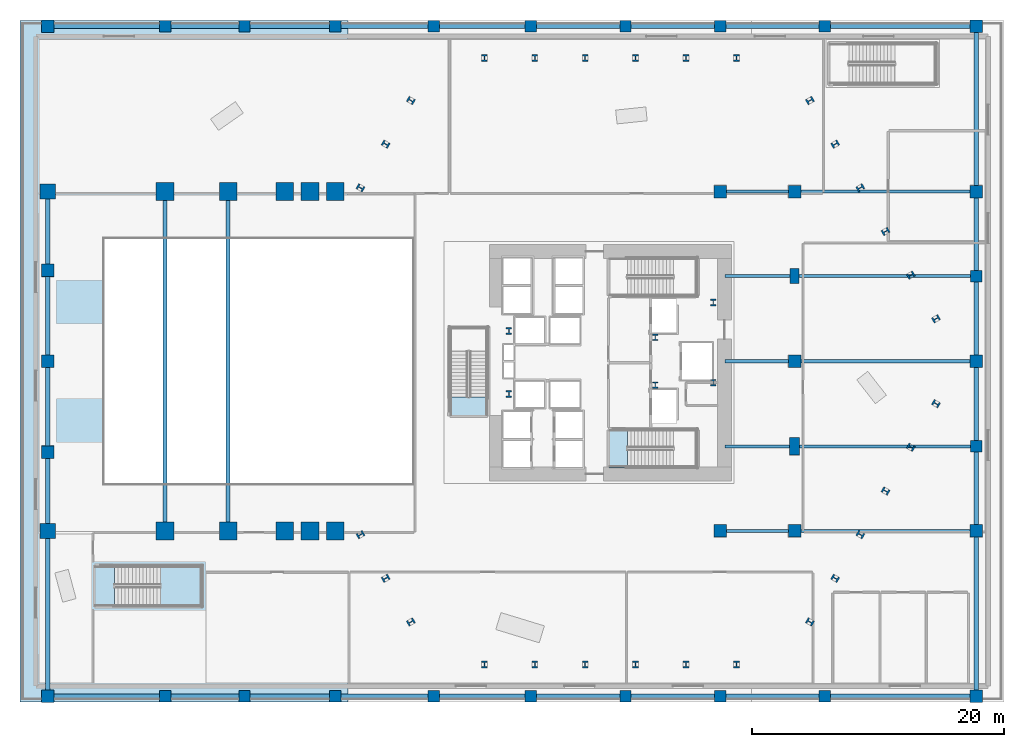
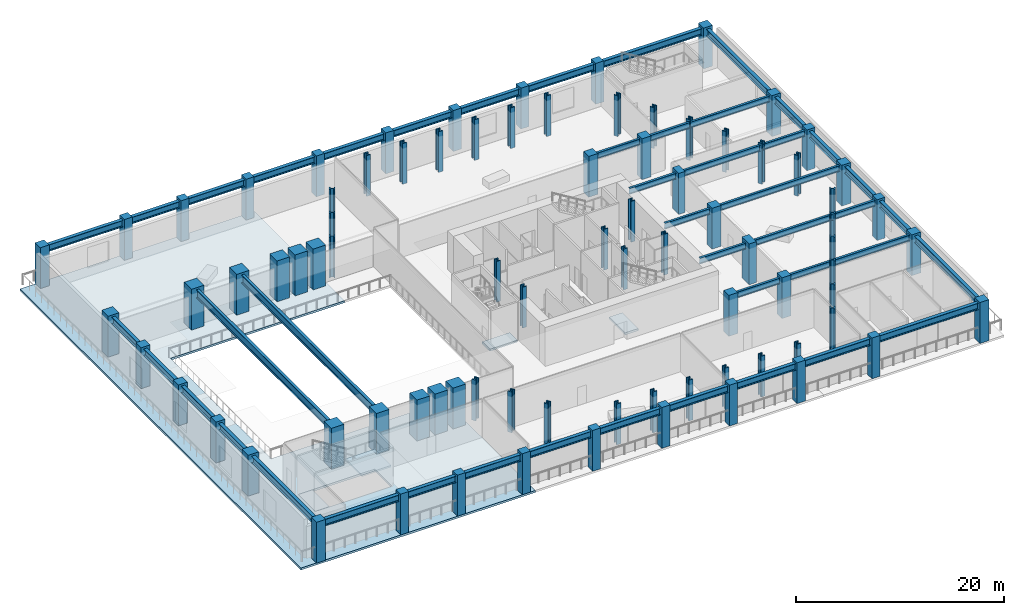
# One storey, part 1 of 19: 83 columns, 20 beams, 5 slabs, 1 element without a shape of its own.
"""IFC4 building model written with IfcOpenShell, lengths in metres."""

from ifc_helpers import new_model, si_unit, direction, frame, origin, origin_2d, place, context, subcontext, project, spatial, polyline, rectangle, i_section, outline, extrude, material, layer, layer_set, material_profile, profile_set, type_object, element, aggregate, save


model = new_model("IFC4")

# Units and contexts
model_context = context("Model", 3, precision=1e-05, world=origin(), true_north=direction((0.0, 1.0)))
body_context = subcontext(model_context, "Body", "Model", "MODEL_VIEW")
ifc_project = project(units=[si_unit("LENGTHUNIT", "METRE"), si_unit("AREAUNIT", "SQUARE_METRE"), si_unit("VOLUMEUNIT", "CUBIC_METRE"), si_unit("PLANEANGLEUNIT", "RADIAN"), si_unit("MASSUNIT", "GRAM", prefix="KILO")], contexts=[model_context])

# Site, building, storey
site_placement = place(None, origin())
site = spatial("IfcSite", under=ifc_project, at=site_placement, CompositionType="ELEMENT")
building_placement = place(site_placement, origin())
building = spatial("IfcBuilding", under=site, at=building_placement, Name="Valkerne Bourse Tower", CompositionType="ELEMENT")
storey_placement = place(building_placement, frame((0.0, 0.0, 5.39990234375)))
storey = spatial("IfcBuildingStorey", under=building, at=storey_placement, Name="L01", CompositionType="ELEMENT", Elevation=5.39990234375)

# Columns
ifc_material_1 = material(Name="Concrete C70/85", Category="concrete")
ifc_material_profile_1 = material_profile(ifc_material_1, rectangle(XDim=1.0, YDim=1.0, at=origin_2d()), Name="RC1000X1000")
ifc_profile_set_1 = profile_set([ifc_material_profile_1], Name="Concrete C70/85")
column_type_1 = type_object("IfcColumnType", Name="COL-RC1000X1000", PredefinedType="COLUMN", material=ifc_profile_set_1)
for number, where, z_axis, x_axis, name in (
    (1, (2.199951171875, 0.449951171875, 0.005126953125), (0.0, 0.0, 1.0), (1.0, 0.0, 0.0), "L01 Podium Column PW-1"),
    (2, (2.199951171875, 19.800048828125, 0.005126953125), (0.0, 0.0, 1.0), (1.0, 0.0, 0.0), "L01 Podium Column PW-3"),
    (3, (2.199951171875, 27.0, 0.005126953125), (0.0, 0.0, 1.0), (1.0, 0.0, 0.0), "L01 Podium Column PW-4"),
    (4, (2.199951171875, 34.199951171875, 0.005126953125), (0.0, 0.0, 1.0), (1.0, 0.0, 0.0), "L01 Podium Column PW-5"),
    (5, (2.199951171875, 53.550048828125, 0.005126953125), (0.0, 0.0, 1.0), (1.0, 0.0, 0.0), "L01 Podium Column PW-7"),
    (6, (75.800048828125, 0.449951171875, 0.005126953125), (0.0, 0.0, 1.0), (1.0, 0.0, 0.0), "L01 Podium Column PS-9"),
    (7, (75.800048828125, 53.550048828125, 0.005126953125), (0.0, 0.0, 1.0), (1.0, 0.0, 0.0), "L01 Podium Column PN-9"),
    (8, (75.800048828125, 13.550048828125, 0.005126953125), (0.0, 0.0, 1.0), (1.0, 0.0, 0.0), "L01 Podium Column PE-1"),
    (9, (75.800048828125, 27.0, 0.005126953125), (0.0, 0.0, 1.0), (1.0, 0.0, 0.0), "L01 Podium Column PE-3"),
    (10, (75.800048828125, 40.449951171875, 0.005126953125), (0.0, 0.0, 1.0), (1.0, 0.0, 0.0), "L01 Podium Column PE-5"),
    (11, (55.5, 13.550048828125, 0.005126953125), (0.0, 0.0, 1.0), (1.0, 0.0, 0.0), "L01 Podium Column PI-C1"),
    (12, (55.5, 40.449951171875, 0.005126953125), (0.0, 0.0, 1.0), (1.0, 0.0, 0.0), "L01 Podium Column PI-C2"),
    (13, (61.39990234375, 13.550048828125, 0.005126953125), (0.0, 0.0, 1.0), (1.0, 0.0, 0.0), "L01 Podium Column PI-E1"),
    (14, (61.39990234375, 27.0, 0.005126953125), (0.0, 0.0, 1.0), (1.0, 0.0, 0.0), "L01 Podium Column PI-E3"),
    (15, (61.39990234375, 40.449951171875, 0.005126953125), (0.0, 0.0, 1.0), (1.0, 0.0, 0.0), "L01 Podium Column PI-E5"),
):
    element("IfcColumn", number, at=place(storey_placement, frame(where, z_axis=z_axis, x_axis=x_axis)), inside=storey, type_object=column_type_1, Name=name, PredefinedType="COLUMN", context=body_context, shape_type="SweptSolid", body=[
        extrude(rectangle(XDim=1.0, YDim=1.0, at=origin_2d()), origin(), (0.0, 0.0, 1.0), 4.794921875),
    ])
ifc_material_profile_2 = material_profile(ifc_material_1, rectangle(XDim=1.199951171875, YDim=1.199951171875, at=origin_2d()), Name="RC1200X1200")
ifc_profile_set_2 = profile_set([ifc_material_profile_2], Name="Concrete C70/85")
column_type_2 = type_object("IfcColumnType", Name="COL-RC1200X1200", PredefinedType="COLUMN", material=ifc_profile_set_2)
for number, where, z_axis, x_axis, name in (
    (16, (2.199951171875, 13.550048828125, 0.005126953125), (0.0, 0.0, 1.0), (1.0, 0.0, 0.0), "L01 Podium Column PW-2"),
    (17, (2.199951171875, 40.449951171875, 0.005126953125), (0.0, 0.0, 1.0), (1.0, 0.0, 0.0), "L01 Podium Column PW-6"),
):
    element("IfcColumn", number, at=place(storey_placement, frame(where, z_axis=z_axis, x_axis=x_axis)), inside=storey, type_object=column_type_2, Name=name, PredefinedType="COLUMN", context=body_context, shape_type="SweptSolid", body=[
        extrude(rectangle(XDim=1.199951171875, YDim=1.199951171875, at=origin_2d()), origin(), (0.0, 0.0, 1.0), 4.794921875),
    ])
ifc_material_profile_3 = material_profile(ifc_material_1, rectangle(XDim=1.39990234375, YDim=1.39990234375, at=origin_2d()), Name="RC1400X1400")
ifc_profile_set_3 = profile_set([ifc_material_profile_3], Name="Concrete C70/85")
column_type_3 = type_object("IfcColumnType", Name="COL-RC1400X1400", PredefinedType="COLUMN", material=ifc_profile_set_3)
for number, where, z_axis, x_axis, name in (
    (18, (11.5, 13.550048828125, 0.005126953125), (0.0, 0.0, 1.0), (1.0, 0.0, 0.0), "L01 Podium Column MC-S1"),
    (19, (11.5, 40.449951171875, 0.005126953125), (0.0, 0.0, 1.0), (1.0, 0.0, 0.0), "L01 Podium Column MC-N1"),
    (20, (16.5, 13.550048828125, 0.005126953125), (0.0, 0.0, 1.0), (1.0, 0.0, 0.0), "L01 Podium Column MC-S2"),
    (21, (16.5, 40.449951171875, 0.005126953125), (0.0, 0.0, 1.0), (1.0, 0.0, 0.0), "L01 Podium Column MC-N2"),
    (22, (20.991943359375, 13.550048828125, 0.005126953125), (0.0, 0.0, 1.0), (1.0, 0.0, 0.0), "L01 Podium Column MCH-S1"),
    (23, (20.991943359375, 40.449951171875, 0.005126953125), (0.0, 0.0, 1.0), (1.0, 0.0, 0.0), "L01 Podium Column MCH-N1"),
    (24, (22.990966796875, 13.550048828125, 0.005126953125), (0.0, 0.0, 1.0), (1.0, 0.0, 0.0), "L01 Podium Column MCH-S2"),
    (25, (22.990966796875, 40.449951171875, 0.005126953125), (0.0, 0.0, 1.0), (1.0, 0.0, 0.0), "L01 Podium Column MCH-N2"),
    (26, (24.988037109375, 13.550048828125, 0.005126953125), (0.0, 0.0, 1.0), (1.0, 0.0, 0.0), "L01 Podium Column MCH-S3"),
    (27, (24.988037109375, 40.449951171875, 0.005126953125), (0.0, 0.0, 1.0), (1.0, 0.0, 0.0), "L01 Podium Column MCH-N3"),
):
    element("IfcColumn", number, at=place(storey_placement, frame(where, z_axis=z_axis, x_axis=x_axis)), inside=storey, type_object=column_type_3, Name=name, PredefinedType="COLUMN", context=body_context, shape_type="SweptSolid", body=[
        extrude(rectangle(XDim=1.39990234375, YDim=1.39990234375, at=origin_2d()), origin(), (0.0, 0.0, 1.0), 4.794921875),
    ])
ifc_material_profile_4 = material_profile(ifc_material_1, rectangle(XDim=0.699951171875, YDim=1.199951171875, at=origin_2d()), Name="RC700X1200")
ifc_profile_set_4 = profile_set([ifc_material_profile_4], Name="Concrete C70/85")
column_type_4 = type_object("IfcColumnType", Name="COL-RC700X1200", PredefinedType="COLUMN", material=ifc_profile_set_4)
column_1_placement = place(storey_placement, frame((61.39990234375, 33.75, 0.005126953125), z_axis=(0.0, 0.0, 1.0), x_axis=(1.0, 0.0, 0.0)))
element("IfcColumn", 28, at=column_1_placement, inside=storey, type_object=column_type_4, Name="L01 Podium Column PI-E4", PredefinedType="COLUMN", context=body_context, shape_type="SweptSolid", body=[
    extrude(rectangle(XDim=0.699951171875, YDim=1.199951171875, at=origin_2d()), origin(), (0.0, 0.0, 1.0), 4.794921875),
])
ifc_material_profile_5 = material_profile(ifc_material_1, rectangle(XDim=0.800048828125, YDim=1.39990234375, at=origin_2d()), Name="RC800X1400")
ifc_profile_set_5 = profile_set([ifc_material_profile_5], Name="Concrete C70/85")
column_type_5 = type_object("IfcColumnType", Name="COL-RC800X1400", PredefinedType="COLUMN", material=ifc_profile_set_5)
column_2_placement = place(storey_placement, frame((61.39990234375, 20.25, 0.005126953125), z_axis=(0.0, 0.0, 1.0), x_axis=(1.0, 0.0, 0.0)))
element("IfcColumn", 29, at=column_2_placement, inside=storey, type_object=column_type_5, Name="L01 Podium Column PI-E2", PredefinedType="COLUMN", context=body_context, shape_type="SweptSolid", body=[
    extrude(rectangle(XDim=0.800048828125, YDim=1.39990234375, at=origin_2d()), origin(), (0.0, 0.0, 1.0), 4.794921875),
])
ifc_material_profile_6 = material_profile(ifc_material_1, rectangle(XDim=0.89990234375, YDim=0.89990234375, at=origin_2d()), Name="RC900X900")
ifc_profile_set_6 = profile_set([ifc_material_profile_6], Name="Concrete C70/85")
column_type_6 = type_object("IfcColumnType", Name="COL-RC900X900", PredefinedType="COLUMN", material=ifc_profile_set_6)
for number, where, z_axis, x_axis, name in (
    (30, (11.5, 0.449951171875, 0.005126953125), (0.0, 0.0, 1.0), (1.0, 0.0, 0.0), "L01 Podium Column PS-1"),
    (31, (17.800048828125, 0.449951171875, 0.005126953125), (0.0, 0.0, 1.0), (1.0, 0.0, 0.0), "L01 Podium Column PS-2"),
    (32, (25.0, 0.449951171875, 0.005126953125), (0.0, 0.0, 1.0), (1.0, 0.0, 0.0), "L01 Podium Column PS-3"),
    (33, (32.800048828125, 0.449951171875, 0.005126953125), (0.0, 0.0, 1.0), (1.0, 0.0, 0.0), "L01 Podium Column PS-4"),
    (34, (40.5, 0.449951171875, 0.005126953125), (0.0, 0.0, 1.0), (1.0, 0.0, 0.0), "L01 Podium Column PS-5"),
    (35, (48.0, 0.449951171875, 0.005126953125), (0.0, 0.0, 1.0), (1.0, 0.0, 0.0), "L01 Podium Column PS-6"),
    (36, (55.5, 0.449951171875, 0.005126953125), (0.0, 0.0, 1.0), (1.0, 0.0, 0.0), "L01 Podium Column PS-7"),
    (37, (63.800048828125, 0.449951171875, 0.005126953125), (0.0, 0.0, 1.0), (1.0, 0.0, 0.0), "L01 Podium Column PS-8"),
    (38, (11.5, 53.550048828125, 0.005126953125), (0.0, 0.0, 1.0), (1.0, 0.0, 0.0), "L01 Podium Column PN-1"),
    (39, (17.800048828125, 53.550048828125, 0.005126953125), (0.0, 0.0, 1.0), (1.0, 0.0, 0.0), "L01 Podium Column PN-2"),
    (40, (25.0, 53.550048828125, 0.005126953125), (0.0, 0.0, 1.0), (1.0, 0.0, 0.0), "L01 Podium Column PN-3"),
    (41, (32.800048828125, 53.550048828125, 0.005126953125), (0.0, 0.0, 1.0), (1.0, 0.0, 0.0), "L01 Podium Column PN-4"),
    (42, (40.5, 53.550048828125, 0.005126953125), (0.0, 0.0, 1.0), (1.0, 0.0, 0.0), "L01 Podium Column PN-5"),
    (43, (48.0, 53.550048828125, 0.005126953125), (0.0, 0.0, 1.0), (1.0, 0.0, 0.0), "L01 Podium Column PN-6"),
    (44, (55.5, 53.550048828125, 0.005126953125), (0.0, 0.0, 1.0), (1.0, 0.0, 0.0), "L01 Podium Column PN-7"),
    (45, (63.800048828125, 53.550048828125, 0.005126953125), (0.0, 0.0, 1.0), (1.0, 0.0, 0.0), "L01 Podium Column PN-8"),
    (46, (75.800048828125, 20.25, 0.005126953125), (0.0, 0.0, 1.0), (1.0, 0.0, 0.0), "L01 Podium Column PE-2"),
    (47, (75.800048828125, 33.75, 0.005126953125), (0.0, 0.0, 1.0), (1.0, 0.0, 0.0), "L01 Podium Column PE-4"),
):
    element("IfcColumn", number, at=place(storey_placement, frame(where, z_axis=z_axis, x_axis=x_axis)), inside=storey, type_object=column_type_6, Name=name, PredefinedType="COLUMN", context=body_context, shape_type="SweptSolid", body=[
        extrude(rectangle(XDim=0.89990234375, YDim=0.89990234375, at=origin_2d()), origin(), (0.0, 0.0, 1.0), 4.794921875),
    ])
ifc_material_2 = material(Name="Steel ASTM A913 Grade 65", Category="steel")
ifc_material_profile_7 = material_profile(ifc_material_2, i_section(OverallWidth=0.44189453125, OverallDepth=0.531005859375, WebThickness=0.06591796875, FlangeThickness=0.105712890625, FilletRadius=0.030517578125, at=origin_2d()), Name="W14X605")
ifc_profile_set_7 = profile_set([ifc_material_profile_7], Name="Steel ASTM A913 Grade 65")
column_type_7 = type_object("IfcColumnType", Name="COL-W14X605", PredefinedType="COLUMN", material=ifc_profile_set_7)
for number, where, z_axis, x_axis, name in (
    (48, (38.75, 24.39990234375, 0.005126953125), (0.0, 0.0, 1.0), (1.0, 0.0, 0.0), "L01 Core Frame Column CC-SW"),
    (49, (38.75, 29.39990234375, 0.005126953125), (0.0, 0.0, 1.0), (1.0, 0.0, 0.0), "L01 Core Frame Column CC-NW"),
    (50, (50.35009765625, 25.10009765625, 0.005126953125), (0.0, 0.0, 1.0), (1.0, 0.0, 0.0), "L01 Core Frame Column CC-CE1"),
    (51, (50.35009765625, 28.89990234375, 0.005126953125), (0.0, 0.0, 1.0), (1.0, 0.0, 0.0), "L01 Core Frame Column CC-CE2"),
    (52, (54.949951171875, 25.300048828125, 0.005126953125), (0.0, 0.0, 1.0), (1.0, 0.0, 0.0), "L01 Core Frame Column CC-SE"),
    (53, (54.949951171875, 31.64990234375, 0.005126953125), (0.0, 0.0, 1.0), (1.0, 0.0, 0.0), "L01 Core Frame Column CC-NE"),
):
    element("IfcColumn", number, at=place(storey_placement, frame(where, z_axis=z_axis, x_axis=x_axis)), inside=storey, type_object=column_type_7, Name=name, PredefinedType="COLUMN", context=body_context, shape_type="SweptSolid", body=[
        extrude(i_section(OverallWidth=0.44189453125, OverallDepth=0.531005859375, WebThickness=0.06591796875, FlangeThickness=0.105712890625, FilletRadius=0.030517578125, at=origin_2d()), origin(), (0.0, 0.0, 1.0), 4.794921875),
    ])
ifc_material_profile_8 = material_profile(ifc_material_2, i_section(OverallWidth=0.45458984375, OverallDepth=0.569091796875, WebThickness=0.077880859375, FlangeThickness=0.124755859375, FilletRadius=0.030517578125, at=origin_2d()), Name="W14X730")
ifc_profile_set_8 = profile_set([ifc_material_profile_8], Name="Steel ASTM A913 Grade 65")
column_type_8 = type_object("IfcColumnType", Name="COL-W14X730", PredefinedType="COLUMN", material=ifc_profile_set_8)
for number, where, z_axis, x_axis, name in (
    (54, (72.607421875, 30.364501953125, 0.005126953125), (0.0, 0.0, 1.0), (-0.5, 0.866025403784, 0.0), "L01 Tower Base Mega-Column Z1B-00"),
    (55, (70.609619140625, 33.8251953125, 0.005126953125), (0.0, 0.0, 1.0), (-0.5, 0.866025403784, 0.0), "L01 Tower Base Mega-Column Z1B-01"),
    (56, (68.611572265625, 37.285888671875, 0.005126953125), (0.0, 0.0, 1.0), (-0.5, 0.866025403784, 0.0), "L01 Tower Base Mega-Column Z1B-02"),
    (57, (66.613525390625, 40.746337890625, 0.005126953125), (0.0, 0.0, 1.0), (-0.5, 0.866025403784, 0.0), "L01 Tower Base Mega-Column Z1B-03"),
    (58, (64.615478515625, 44.20703125, 0.005126953125), (0.0, 0.0, 1.0), (-0.5, 0.866025403784, 0.0), "L01 Tower Base Mega-Column Z1B-04"),
    (59, (62.617431640625, 47.667724609375, 0.005126953125), (0.0, 0.0, 1.0), (-0.5, 0.866025403784, 0.0), "L01 Tower Base Mega-Column Z1B-05"),
    (60, (56.7900390625, 51.0322265625, 0.005126953125), (0.0, 0.0, 1.0), (-1.0, 0.0, 0.0), "L01 Tower Base Mega-Column Z1B-06"),
    (61, (52.7939453125, 51.0322265625, 0.005126953125), (0.0, 0.0, 1.0), (-1.0, 0.0, 0.0), "L01 Tower Base Mega-Column Z1B-07"),
    (62, (48.798095703125, 51.0322265625, 0.005126953125), (0.0, 0.0, 1.0), (-1.0, 0.0, 0.0), "L01 Tower Base Mega-Column Z1B-08"),
    (63, (44.802001953125, 51.0322265625, 0.005126953125), (0.0, 0.0, 1.0), (-1.0, 0.0, 0.0), "L01 Tower Base Mega-Column Z1B-09"),
    (64, (40.805908203125, 51.0322265625, 0.005126953125), (0.0, 0.0, 1.0), (-1.0, 0.0, 0.0), "L01 Tower Base Mega-Column Z1B-10"),
    (65, (36.81005859375, 51.0322265625, 0.005126953125), (0.0, 0.0, 1.0), (-1.0, 0.0, 0.0), "L01 Tower Base Mega-Column Z1B-11"),
    (66, (30.982421875, 47.667724609375, 0.005126953125), (0.0, 0.0, 1.0), (-0.5, -0.866025403784, 0.0), "L01 Tower Base Mega-Column Z1B-12"),
    (67, (28.984619140625, 44.20703125, 0.005126953125), (0.0, 0.0, 1.0), (-0.5, -0.866025403784, 0.0), "L01 Tower Base Mega-Column Z1B-13"),
    (68, (26.986572265625, 40.746337890625, 0.005126953125), (0.0, 0.0, 1.0), (-0.5, -0.866025403784, 0.0), "L01 Tower Base Mega-Column Z1B-14"),
    (69, (26.986572265625, 13.253662109375, 0.005126953125), (0.0, 0.0, 1.0), (0.5, -0.866025403784, 0.0), "L01 Tower Base Mega-Column Z1B-21"),
    (70, (36.81005859375, 2.9677734375, 0.005126953125), (0.0, 0.0, 1.0), (1.0, 0.0, 0.0), "L01 Tower Base Mega-Column Z1B-24"),
    (71, (40.805908203125, 2.9677734375, 0.005126953125), (0.0, 0.0, 1.0), (1.0, 0.0, 0.0), "L01 Tower Base Mega-Column Z1B-25"),
    (72, (44.802001953125, 2.9677734375, 0.005126953125), (0.0, 0.0, 1.0), (1.0, 0.0, 0.0), "L01 Tower Base Mega-Column Z1B-26"),
    (73, (48.798095703125, 2.9677734375, 0.005126953125), (0.0, 0.0, 1.0), (1.0, 0.0, 0.0), "L01 Tower Base Mega-Column Z1B-27"),
    (74, (52.7939453125, 2.9677734375, 0.005126953125), (0.0, 0.0, 1.0), (1.0, 0.0, 0.0), "L01 Tower Base Mega-Column Z1B-28"),
    (75, (56.7900390625, 2.9677734375, 0.005126953125), (0.0, 0.0, 1.0), (1.0, 0.0, 0.0), "L01 Tower Base Mega-Column Z1B-29"),
    (76, (66.613525390625, 13.253662109375, 0.005126953125), (0.0, 0.0, 1.0), (0.5, 0.866025403784, 0.0), "L01 Tower Base Mega-Column Z1B-32"),
    (77, (68.611572265625, 16.714111328125, 0.005126953125), (0.0, 0.0, 1.0), (0.5, 0.866025403784, 0.0), "L01 Tower Base Mega-Column Z1B-33"),
    (78, (70.609619140625, 20.1748046875, 0.005126953125), (0.0, 0.0, 1.0), (0.5, 0.866025403784, 0.0), "L01 Tower Base Mega-Column Z1B-34"),
    (79, (72.607421875, 23.635498046875, 0.005126953125), (0.0, 0.0, 1.0), (0.5, 0.866025403784, 0.0), "L01 Tower Base Mega-Column Z1B-35"),
    (80, (28.984619140625, 9.79296875, 0.005126953125), (0.0, 0.0, 1.0), (0.5, -0.866025403784, 0.0), "L01 Tower Base Mega-Column Z1B-22"),
    (81, (30.982421875, 6.332275390625, 0.005126953125), (0.0, 0.0, 1.0), (0.5, -0.866025403784, 0.0), "L01 Tower Base Mega-Column Z1B-23"),
    (82, (62.617431640625, 6.332275390625, 0.005126953125), (0.0, 0.0, 1.0), (0.5, 0.866025403784, 0.0), "L01 Tower Base Mega-Column Z1B-30"),
    (83, (64.615478515625, 9.79296875, 0.005126953125), (0.0, 0.0, 1.0), (0.5, 0.866025403784, 0.0), "L01 Tower Base Mega-Column Z1B-31"),
):
    element("IfcColumn", number, at=place(storey_placement, frame(where, z_axis=z_axis, x_axis=x_axis)), inside=storey, type_object=column_type_8, Name=name, PredefinedType="COLUMN", context=body_context, shape_type="SweptSolid", body=[
        extrude(i_section(OverallWidth=0.45458984375, OverallDepth=0.569091796875, WebThickness=0.077880859375, FlangeThickness=0.124755859375, FilletRadius=0.030517578125, at=origin_2d()), origin(), (0.0, 0.0, 1.0), 4.7900390625),
    ])

# Beams
ifc_material_3 = material(Name="Steel ASTM A992", Category="steel")
ifc_material_profile_9 = material_profile(ifc_material_3, i_section(OverallWidth=0.255859375, OverallDepth=0.693359375, WebThickness=0.014404296875, FlangeThickness=0.023681640625, FilletRadius=0.02294921875, at=origin_2d()), Name="W27X114")
ifc_profile_set_9 = profile_set([ifc_material_profile_9], Name="Steel ASTM A992")
beam_type_1 = type_object("IfcBeamType", Name="BM-W27X114", PredefinedType="BEAM", material=ifc_profile_set_9)
beam_1_placement = place(storey_placement, frame((55.5, 13.550048828125, 4.21337890625), z_axis=(1.0, 0.0, 0.0), x_axis=(0.0, 1.0, 0.0)))
element("IfcBeam", 84, at=beam_1_placement, inside=storey, type_object=beam_type_1, Name="L01 East Wing Floor Girder 1 Y13", PredefinedType="BEAM", context=body_context, shape_type="SweptSolid", body=[
    extrude(i_section(OverallWidth=0.255859375, OverallDepth=0.693359375, WebThickness=0.014404296875, FlangeThickness=0.023681640625, FilletRadius=0.02294921875, at=origin_2d()), origin(), (0.0, 0.0, 1.0), 5.89990234375),
])
beam_2_placement = place(storey_placement, frame((61.39990234375, 13.550048828125, 4.21337890625), z_axis=(1.0, 0.0, 0.0), x_axis=(0.0, 1.0, 0.0)))
element("IfcBeam", 85, at=beam_2_placement, inside=storey, type_object=beam_type_1, Name="L01 East Wing Floor Girder 2 Y13", PredefinedType="BEAM", context=body_context, shape_type="SweptSolid", body=[
    extrude(i_section(OverallWidth=0.255859375, OverallDepth=0.693359375, WebThickness=0.014404296875, FlangeThickness=0.023681640625, FilletRadius=0.02294921875, at=origin_2d()), origin(), (0.0, 0.0, 1.0), 14.400146484375),
])
beam_3_placement = place(storey_placement, frame((55.89990234375, 20.25, 4.21337890625), z_axis=(1.0, 0.0, 0.0), x_axis=(0.0, 1.0, 0.0)))
element("IfcBeam", 86, at=beam_3_placement, inside=storey, type_object=beam_type_1, Name="L01 East Wing Floor Girder 1 Y20", PredefinedType="BEAM", context=body_context, shape_type="SweptSolid", body=[
    extrude(i_section(OverallWidth=0.255859375, OverallDepth=0.693359375, WebThickness=0.014404296875, FlangeThickness=0.023681640625, FilletRadius=0.02294921875, at=origin_2d()), origin(), (0.0, 0.0, 1.0), 5.5),
])
beam_4_placement = place(storey_placement, frame((61.39990234375, 20.25, 4.21337890625), z_axis=(1.0, 0.0, 0.0), x_axis=(0.0, 1.0, 0.0)))
element("IfcBeam", 87, at=beam_4_placement, inside=storey, type_object=beam_type_1, Name="L01 East Wing Floor Girder 2 Y20", PredefinedType="BEAM", context=body_context, shape_type="SweptSolid", body=[
    extrude(i_section(OverallWidth=0.255859375, OverallDepth=0.693359375, WebThickness=0.014404296875, FlangeThickness=0.023681640625, FilletRadius=0.02294921875, at=origin_2d()), origin(), (0.0, 0.0, 1.0), 14.400146484375),
])
beam_5_placement = place(storey_placement, frame((55.89990234375, 27.0, 4.21337890625), z_axis=(1.0, 0.0, 0.0), x_axis=(0.0, 1.0, 0.0)))
element("IfcBeam", 88, at=beam_5_placement, inside=storey, type_object=beam_type_1, Name="L01 East Wing Floor Girder 1 Y27", PredefinedType="BEAM", context=body_context, shape_type="SweptSolid", body=[
    extrude(i_section(OverallWidth=0.255859375, OverallDepth=0.693359375, WebThickness=0.014404296875, FlangeThickness=0.023681640625, FilletRadius=0.02294921875, at=origin_2d()), origin(), (0.0, 0.0, 1.0), 5.5),
])
beam_6_placement = place(storey_placement, frame((61.39990234375, 27.0, 4.21337890625), z_axis=(1.0, 0.0, 0.0), x_axis=(0.0, 1.0, 0.0)))
element("IfcBeam", 89, at=beam_6_placement, inside=storey, type_object=beam_type_1, Name="L01 East Wing Floor Girder 2 Y27", PredefinedType="BEAM", context=body_context, shape_type="SweptSolid", body=[
    extrude(i_section(OverallWidth=0.255859375, OverallDepth=0.693359375, WebThickness=0.014404296875, FlangeThickness=0.023681640625, FilletRadius=0.02294921875, at=origin_2d()), origin(), (0.0, 0.0, 1.0), 14.400146484375),
])
beam_7_placement = place(storey_placement, frame((55.89990234375, 33.75, 4.21337890625), z_axis=(1.0, 0.0, 0.0), x_axis=(0.0, 1.0, 0.0)))
element("IfcBeam", 90, at=beam_7_placement, inside=storey, type_object=beam_type_1, Name="L01 East Wing Floor Girder 1 Y33", PredefinedType="BEAM", context=body_context, shape_type="SweptSolid", body=[
    extrude(i_section(OverallWidth=0.255859375, OverallDepth=0.693359375, WebThickness=0.014404296875, FlangeThickness=0.023681640625, FilletRadius=0.02294921875, at=origin_2d()), origin(), (0.0, 0.0, 1.0), 5.5),
])
beam_8_placement = place(storey_placement, frame((61.39990234375, 33.75, 4.21337890625), z_axis=(1.0, 0.0, 0.0), x_axis=(0.0, 1.0, 0.0)))
element("IfcBeam", 91, at=beam_8_placement, inside=storey, type_object=beam_type_1, Name="L01 East Wing Floor Girder 2 Y33", PredefinedType="BEAM", context=body_context, shape_type="SweptSolid", body=[
    extrude(i_section(OverallWidth=0.255859375, OverallDepth=0.693359375, WebThickness=0.014404296875, FlangeThickness=0.023681640625, FilletRadius=0.02294921875, at=origin_2d()), origin(), (0.0, 0.0, 1.0), 14.400146484375),
])
beam_9_placement = place(storey_placement, frame((55.5, 40.449951171875, 4.21337890625), z_axis=(1.0, 0.0, 0.0), x_axis=(0.0, 1.0, 0.0)))
element("IfcBeam", 92, at=beam_9_placement, inside=storey, type_object=beam_type_1, Name="L01 East Wing Floor Girder 1 Y40", PredefinedType="BEAM", context=body_context, shape_type="SweptSolid", body=[
    extrude(i_section(OverallWidth=0.255859375, OverallDepth=0.693359375, WebThickness=0.014404296875, FlangeThickness=0.023681640625, FilletRadius=0.02294921875, at=origin_2d()), origin(), (0.0, 0.0, 1.0), 5.89990234375),
])
beam_10_placement = place(storey_placement, frame((61.39990234375, 40.449951171875, 4.21337890625), z_axis=(1.0, 0.0, 0.0), x_axis=(0.0, 1.0, 0.0)))
element("IfcBeam", 93, at=beam_10_placement, inside=storey, type_object=beam_type_1, Name="L01 East Wing Floor Girder 2 Y40", PredefinedType="BEAM", context=body_context, shape_type="SweptSolid", body=[
    extrude(i_section(OverallWidth=0.255859375, OverallDepth=0.693359375, WebThickness=0.014404296875, FlangeThickness=0.023681640625, FilletRadius=0.02294921875, at=origin_2d()), origin(), (0.0, 0.0, 1.0), 14.400146484375),
])
ifc_material_profile_10 = material_profile(ifc_material_3, i_section(OverallWidth=0.383544921875, OverallDepth=0.784912109375, WebThickness=0.019775390625, FlangeThickness=0.033447265625, FilletRadius=0.025390625, at=origin_2d()), Name="W30X211")
ifc_profile_set_10 = profile_set([ifc_material_profile_10], Name="Steel ASTM A992")
beam_type_2 = type_object("IfcBeamType", Name="BM-W30X211", PredefinedType="SPANDREL", material=ifc_profile_set_10)
beam_11_placement = place(storey_placement, frame((2.199951171875, 0.449951171875, 4.167724609375), z_axis=(1.0, 0.0, 0.0), x_axis=(0.0, 1.0, 0.0)))
element("IfcBeam", 94, at=beam_11_placement, inside=storey, type_object=beam_type_2, Name="L01 Podium Spandrel Girder S1", PredefinedType="SPANDREL", context=body_context, shape_type="SweptSolid", body=[
    extrude(i_section(OverallWidth=0.383544921875, OverallDepth=0.784912109375, WebThickness=0.019775390625, FlangeThickness=0.033447265625, FilletRadius=0.025390625, at=origin_2d()), origin(), (0.0, 0.0, 1.0), 22.800048828125),
])
beam_12_placement = place(storey_placement, frame((25.0, 0.449951171875, 4.167724609375), z_axis=(1.0, 0.0, 0.0), x_axis=(0.0, 1.0, 0.0)))
element("IfcBeam", 95, at=beam_12_placement, inside=storey, type_object=beam_type_2, Name="L01 Podium Spandrel Girder S2", PredefinedType="SPANDREL", context=body_context, shape_type="SweptSolid", body=[
    extrude(i_section(OverallWidth=0.383544921875, OverallDepth=0.784912109375, WebThickness=0.019775390625, FlangeThickness=0.033447265625, FilletRadius=0.025390625, at=origin_2d()), origin(), (0.0, 0.0, 1.0), 23.0),
])
beam_13_placement = place(storey_placement, frame((48.0, 0.449951171875, 4.167724609375), z_axis=(1.0, 0.0, 0.0), x_axis=(0.0, 1.0, 0.0)))
element("IfcBeam", 96, at=beam_13_placement, inside=storey, type_object=beam_type_2, Name="L01 Podium Spandrel Girder S3", PredefinedType="SPANDREL", context=body_context, shape_type="SweptSolid", body=[
    extrude(i_section(OverallWidth=0.383544921875, OverallDepth=0.784912109375, WebThickness=0.019775390625, FlangeThickness=0.033447265625, FilletRadius=0.025390625, at=origin_2d()), origin(), (0.0, 0.0, 1.0), 27.800048828125),
])
beam_14_placement = place(storey_placement, frame((2.199951171875, 53.550048828125, 4.167724609375), z_axis=(1.0, 0.0, 0.0), x_axis=(0.0, 1.0, 0.0)))
element("IfcBeam", 97, at=beam_14_placement, inside=storey, type_object=beam_type_2, Name="L01 Podium Spandrel Girder N1", PredefinedType="SPANDREL", context=body_context, shape_type="SweptSolid", body=[
    extrude(i_section(OverallWidth=0.383544921875, OverallDepth=0.784912109375, WebThickness=0.019775390625, FlangeThickness=0.033447265625, FilletRadius=0.025390625, at=origin_2d()), origin(), (0.0, 0.0, 1.0), 38.300048828125),
])
beam_15_placement = place(storey_placement, frame((40.5, 53.550048828125, 4.167724609375), z_axis=(1.0, 0.0, 0.0), x_axis=(0.0, 1.0, 0.0)))
element("IfcBeam", 98, at=beam_15_placement, inside=storey, type_object=beam_type_2, Name="L01 Podium Spandrel Girder N2", PredefinedType="SPANDREL", context=body_context, shape_type="SweptSolid", body=[
    extrude(i_section(OverallWidth=0.383544921875, OverallDepth=0.784912109375, WebThickness=0.019775390625, FlangeThickness=0.033447265625, FilletRadius=0.025390625, at=origin_2d()), origin(), (0.0, 0.0, 1.0), 35.300048828125),
])
for number, where, z_axis, x_axis, name in (
    (99, (75.800048828125, 0.449951171875, 4.167724609375), (0.0, 1.0, 0.0), (-1.0, 0.0, 0.0), "L01 Podium Spandrel Girder E1"),
    (100, (75.800048828125, 27.0, 4.167724609375), (0.0, 1.0, 0.0), (-1.0, 0.0, 0.0), "L01 Podium Spandrel Girder E2"),
):
    element("IfcBeam", number, at=place(storey_placement, frame(where, z_axis=z_axis, x_axis=x_axis)), inside=storey, type_object=beam_type_2, Name=name, PredefinedType="SPANDREL", context=body_context, shape_type="SweptSolid", body=[
        extrude(i_section(OverallWidth=0.383544921875, OverallDepth=0.784912109375, WebThickness=0.019775390625, FlangeThickness=0.033447265625, FilletRadius=0.025390625, at=origin_2d()), origin(), (0.0, 0.0, 1.0), 26.550048828125),
    ])
beam_16_placement = place(storey_placement, frame((2.199951171875, 0.449951171875, 4.167724609375), z_axis=(0.0, 1.0, 0.0), x_axis=(-1.0, 0.0, 0.0)))
element("IfcBeam", 101, at=beam_16_placement, inside=storey, type_object=beam_type_2, Name="L01 Podium Spandrel Girder W1", PredefinedType="SPANDREL", context=body_context, shape_type="SweptSolid", body=[
    extrude(i_section(OverallWidth=0.383544921875, OverallDepth=0.784912109375, WebThickness=0.019775390625, FlangeThickness=0.033447265625, FilletRadius=0.025390625, at=origin_2d()), origin(), (0.0, 0.0, 1.0), 40.0),
])
ifc_material_profile_11 = material_profile(ifc_material_2, i_section(OverallWidth=0.310302734375, OverallDepth=0.949951171875, WebThickness=0.0244140625, FlangeThickness=0.0439453125, FilletRadius=0.02783203125, at=origin_2d()), Name="W36X256")
ifc_profile_set_11 = profile_set([ifc_material_profile_11], Name="Steel ASTM A913 Grade 65")
beam_type_3 = type_object("IfcBeamType", Name="BM-W36X256", PredefinedType="BEAM", material=ifc_profile_set_11)
for number, where, z_axis, x_axis, name in (
    (102, (11.5, 13.550048828125, 4.085205078125), (0.0, 1.0, 0.0), (-1.0, 0.0, 0.0), "L01 Clear-Span Hall/Trading Girder X11"),
    (103, (16.5, 13.550048828125, 4.085205078125), (0.0, 1.0, 0.0), (-1.0, 0.0, 0.0), "L01 Clear-Span Hall/Trading Girder X16"),
):
    element("IfcBeam", number, at=place(storey_placement, frame(where, z_axis=z_axis, x_axis=x_axis)), inside=storey, type_object=beam_type_3, Name=name, PredefinedType="BEAM", context=body_context, shape_type="SweptSolid", body=[
        extrude(i_section(OverallWidth=0.310302734375, OverallDepth=0.949951171875, WebThickness=0.0244140625, FlangeThickness=0.0439453125, FilletRadius=0.02783203125, at=origin_2d()), origin(), (0.0, 0.0, 1.0), 26.89990234375),
    ])

# Slabs
ifc_material_4 = material(Name="Concrete C40/50", Category="concrete")
ifc_layer_1 = layer(ifc_material_4, 0.239990234375)
ifc_layer_set_1 = layer_set([ifc_layer_1], Name="Concrete C40/50")
slab_type_1 = type_object("IfcSlabType", Name="SLB-POD-240", PredefinedType="FLOOR", material=ifc_layer_set_1)
slab_1_placement = place(storey_placement, frame((0.0, 0.0, -0.239990234375)))
element("IfcSlab", 104, at=slab_1_placement, inside=storey, type_object=slab_type_1, Name="L01 Podium Composite Floor Slab W", PredefinedType="FLOOR", context=body_context, shape_type="SweptSolid", body=[
    extrude(outline(polyline([(26.0, 0.0), (0.0, 0.0), (0.0, 54.0), (26.0, 54.0), (26.0, 36.699951171875), (6.699951171875, 36.699951171875), (6.699951171875, 17.300048828125), (26.0, 17.300048828125), (26.0, 0.0)]), holes=[polyline([(14.425048828125, 7.534912109375), (14.425048828125, 10.81494140625), (5.9150390625, 10.81494140625), (5.9150390625, 7.534912109375), (14.425048828125, 7.534912109375)])]), origin(), (0.0, 0.0, 1.0), 0.239990234375),
])
ifc_layer_2 = layer(ifc_material_4, 0.25)
ifc_layer_set_2 = layer_set([ifc_layer_2], Name="Concrete C40/50")
slab_type_2 = type_object("IfcSlabType", Name="SLB-RMP-LND-250", PredefinedType="LANDING", material=ifc_layer_set_2)
slab_2_placement = place(storey_placement, frame((0.0, 0.0, -0.239990234375)))
element("IfcSlab", 105, at=slab_2_placement, inside=storey, type_object=slab_type_2, Name="L01 ST-1 Floor Landing Slab", PredefinedType="LANDING", context=body_context, shape_type="SweptSolid", body=[
    extrude(outline(polyline([(46.669921875, 18.5400390625), (48.14990234375, 18.5400390625), (48.14990234375, 21.610107421875), (46.669921875, 21.610107421875), (46.669921875, 18.5400390625)])), origin(), (0.0, 0.0, 1.0), 0.239990234375),
])
slab_3_placement = place(storey_placement, frame((0.0, 0.0, -0.239990234375)))
element("IfcSlab", 106, at=slab_3_placement, inside=storey, type_object=slab_type_2, Name="L01 ST-3 Floor Landing Slab", PredefinedType="LANDING", context=body_context, shape_type="SweptSolid", body=[
    extrude(outline(polyline([(37.110107421875, 22.669921875), (37.110107421875, 24.14990234375), (34.0400390625, 24.14990234375), (34.0400390625, 22.669921875), (37.110107421875, 22.669921875)])), origin(), (0.0, 0.0, 1.0), 0.239990234375),
])
slab_4_placement = place(storey_placement, frame((0.0, 0.0, -0.239990234375)))
element("IfcSlab", 107, at=slab_4_placement, inside=storey, type_object=slab_type_2, Name="L01 ST-P1 Floor Landing Slab", PredefinedType="LANDING", context=body_context, shape_type="SweptSolid", body=[
    extrude(outline(polyline([(5.919921875, 7.5400390625), (7.5, 7.5400390625), (7.5, 10.81005859375), (5.919921875, 10.81005859375), (5.919921875, 7.5400390625)])), origin(), (0.0, 0.0, 1.0), 0.239990234375),
])

# Stair, slab
stair_type = type_object("IfcStairType", Name="ST-POD-1500", PredefinedType="HALF_TURN_STAIR", material=ifc_material_4)
stair_placement = place(storey_placement, origin())
stair = element("IfcStair", 108, at=stair_placement, inside=storey, type_object=stair_type, Name="L01 ST-P1", PredefinedType="HALF_TURN_STAIR")
ifc_layer_3 = layer(ifc_material_4, 0.179931640625)
ifc_layer_set_3 = layer_set([ifc_layer_3], Name="Concrete C40/50")
slab_type_3 = type_object("IfcSlabType", Name="SLB-ST-LND-180", PredefinedType="LANDING", material=ifc_layer_set_3)
slab_5_placement = place(storey_placement, frame((0.0, 0.0, 2.2001953125)))
slab_5 = element("IfcSlab", 109, at=slab_5_placement, type_object=slab_type_3, Name="ST-P1 landing 1", PredefinedType="LANDING", context=body_context, shape_type="SweptSolid", body=[
    extrude(outline(polyline([(11.139892578125, 7.60009765625), (14.39990234375, 7.60009765625), (14.39990234375, 10.75), (11.139892578125, 10.75), (11.139892578125, 7.60009765625)])), origin(), (0.0, 0.0, 1.0), 0.199951171875),
])
aggregate(stair, [slab_5])

save(model, "model.ifc")
